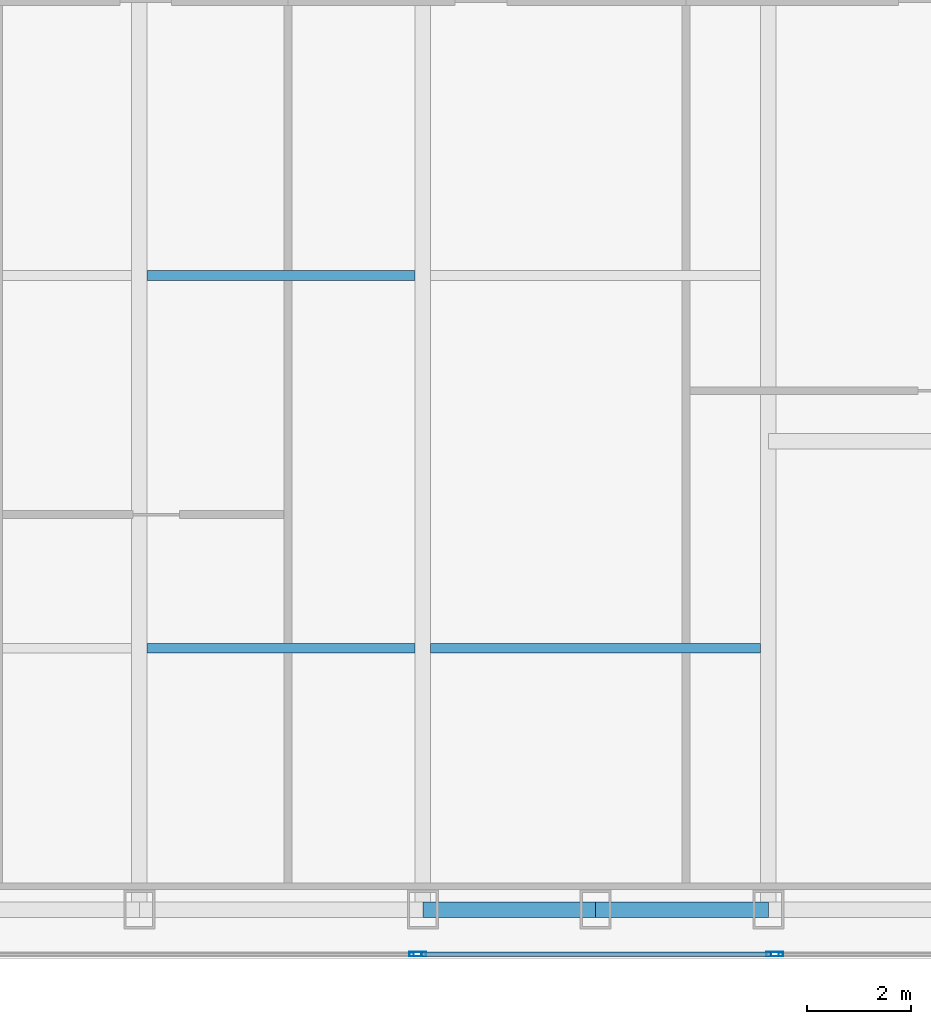
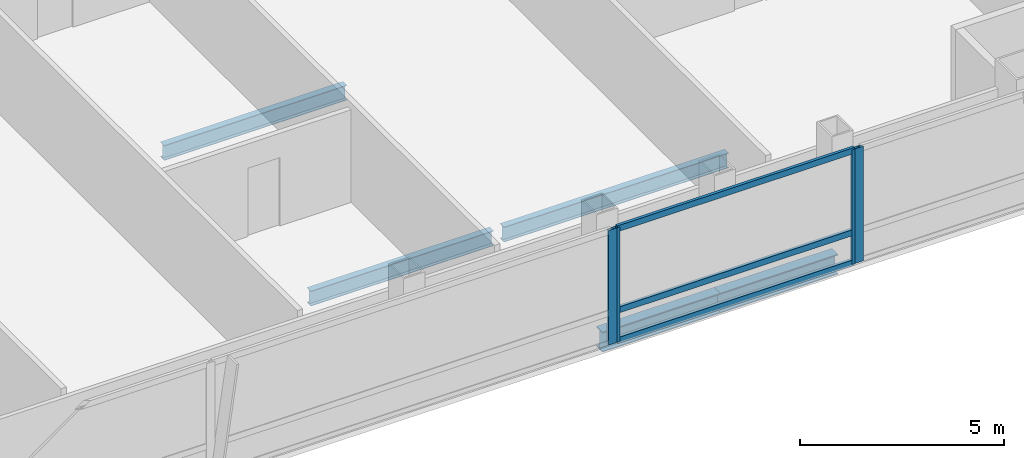
# One storey, part 14 of 29: 7 members, 5 beams, 3 elements without a shape of their own.
"""IFC4 building model written with IfcOpenShell, lengths in metres."""

from ifc_helpers import new_model, si_unit, direction, frame, origin, origin_2d, place, context, subcontext, project, spatial, hollow_rectangle, i_section, extrude, material, material_profile, profile_set, type_object, element, aggregate, save


model = new_model("IFC4")

# Units and contexts
model_context = context("Model", 3, precision=1e-05, world=origin(), true_north=direction((0.0, 1.0)))
body_context = subcontext(model_context, "Body", "Model", "MODEL_VIEW")
ifc_project = project(units=[si_unit("LENGTHUNIT", "METRE"), si_unit("AREAUNIT", "SQUARE_METRE"), si_unit("VOLUMEUNIT", "CUBIC_METRE"), si_unit("PLANEANGLEUNIT", "RADIAN"), si_unit("MASSUNIT", "GRAM", prefix="KILO")], contexts=[model_context])

# Site, building, storey
site_placement = place(None, origin())
site = spatial("IfcSite", under=ifc_project, at=site_placement, CompositionType="ELEMENT")
building_placement = place(site_placement, origin())
building = spatial("IfcBuilding", under=site, at=building_placement, Name="Khoronbel Lancet Exchange", CompositionType="ELEMENT")
storey_placement = place(building_placement, frame((0.0, 0.0, 242.60009765625)))
storey = spatial("IfcBuildingStorey", under=building, at=storey_placement, Name="L62", CompositionType="ELEMENT", Elevation=242.60009765625)

# Beams
ifc_material_1 = material(Name="Steel S355", Category="steel")
ifc_material_profile_1 = material_profile(ifc_material_1, i_section(OverallWidth=0.18994140625, OverallDepth=0.449951171875, WebThickness=0.009521484375, FlangeThickness=0.0146484375, at=origin_2d()), Name="IPE 450")
ifc_profile_set_1 = profile_set([ifc_material_profile_1], Name="Steel S355")
beam_type_1 = type_object("IfcBeamType", Name="BM-BJ4", PredefinedType="JOIST", material=ifc_profile_set_1)
beam_1_placement = place(storey_placement, frame((42.675048828125, 15.199951171875, -0.385009765625), z_axis=(1.0, 0.0, 0.0), x_axis=(0.0, 1.0, 0.0)))
element("IfcBeam", 1, at=beam_1_placement, inside=storey, type_object=beam_type_1, Name="Level L62 secondary composite joist J04", PredefinedType="JOIST", context=body_context, shape_type="SweptSolid", body=[
    extrude(i_section(OverallWidth=0.18994140625, OverallDepth=0.449951171875, WebThickness=0.009521484375, FlangeThickness=0.0146484375, at=origin_2d()), origin(), (0.0, 0.0, 1.0), 5.175048828125),
])
beam_2_placement = place(storey_placement, frame((48.14990234375, 15.199951171875, -0.385009765625), z_axis=(1.0, 0.0, 0.0), x_axis=(0.0, 1.0, 0.0)))
element("IfcBeam", 2, at=beam_2_placement, inside=storey, type_object=beam_type_1, Name="Level L62 secondary composite joist J05", PredefinedType="JOIST", context=body_context, shape_type="SweptSolid", body=[
    extrude(i_section(OverallWidth=0.18994140625, OverallDepth=0.449951171875, WebThickness=0.009521484375, FlangeThickness=0.0146484375, at=origin_2d()), origin(), (0.0, 0.0, 1.0), 6.375),
])
beam_3_placement = place(storey_placement, frame((42.675048828125, 22.39990234375, -0.385009765625), z_axis=(1.0, 0.0, 0.0), x_axis=(0.0, 1.0, 0.0)))
element("IfcBeam", 3, at=beam_3_placement, inside=storey, type_object=beam_type_1, Name="Level L62 secondary composite joist J09", PredefinedType="JOIST", context=body_context, shape_type="SweptSolid", body=[
    extrude(i_section(OverallWidth=0.18994140625, OverallDepth=0.449951171875, WebThickness=0.009521484375, FlangeThickness=0.0146484375, at=origin_2d()), origin(), (0.0, 0.0, 1.0), 5.175048828125),
])
ifc_material_profile_2 = material_profile(ifc_material_1, i_section(OverallWidth=0.300048828125, OverallDepth=0.60009765625, WebThickness=0.015380859375, FlangeThickness=0.030029296875, at=origin_2d()), Name="HEB 600")
ifc_profile_set_2 = profile_set([ifc_material_profile_2], Name="Steel S355")
beam_type_2 = type_object("IfcBeamType", Name="BM-BSP2", PredefinedType="SPANDREL", material=ifc_profile_set_2)
beam_4_placement = place(storey_placement, frame((48.0, 10.14990234375, -0.460205078125), z_axis=(1.0, 0.0, 0.0), x_axis=(0.0, 1.0, 0.0)))
element("IfcBeam", 4, at=beam_4_placement, inside=storey, type_object=beam_type_2, Name="Level L62 perimeter spandrel beam SP07", PredefinedType="SPANDREL", context=body_context, shape_type="SweptSolid", body=[
    extrude(i_section(OverallWidth=0.300048828125, OverallDepth=0.60009765625, WebThickness=0.015380859375, FlangeThickness=0.030029296875, at=origin_2d()), origin(), (0.0, 0.0, 1.0), 3.33740234375),
])
beam_5_placement = place(storey_placement, frame((51.33740234375, 10.14990234375, -0.460205078125), z_axis=(1.0, 0.0, 0.0), x_axis=(0.0, 1.0, 0.0)))
element("IfcBeam", 5, at=beam_5_placement, inside=storey, type_object=beam_type_2, Name="Level L62 perimeter spandrel beam SP08", PredefinedType="SPANDREL", context=body_context, shape_type="SweptSolid", body=[
    extrude(i_section(OverallWidth=0.300048828125, OverallDepth=0.60009765625, WebThickness=0.015380859375, FlangeThickness=0.030029296875, at=origin_2d()), origin(), (0.0, 0.0, 1.0), 3.337646484375),
])

# Curtain wall, member
ifc_material_2 = material(Name="Low-E Solar Control Insulating Glass", Category="glass")
curtain_wall_type = type_object("IfcCurtainWallType", Name="CW-3", PredefinedType="NOTDEFINED", material=ifc_material_2)
curtain_wall_1_placement = place(storey_placement, origin())
curtain_wall_1 = element("IfcCurtainWall", 6, at=curtain_wall_1_placement, inside=storey, type_object=curtain_wall_type, Name="Unitised curtain wall CW-L62-SCV", PredefinedType="NOTDEFINED")
ifc_material_3 = material(Name="Bronze-Anodised Aluminium 6063-T6", Category="aluminium")
ifc_material_profile_3 = material_profile(ifc_material_3, hollow_rectangle(XDim=0.0849609375, YDim=0.239990234375, WallThickness=0.006103515625, at=origin_2d()), Name="ALU MULLION 85x240")
ifc_profile_set_3 = profile_set([ifc_material_profile_3], Name="Bronze-Anodised Aluminium 6063-T6")
member_type_1 = type_object("IfcMemberType", Name="MEM-CWM1", PredefinedType="MULLION", material=ifc_profile_set_3)
member_1_placement = place(storey_placement, frame((47.857421875, 9.2900390625, 0.0), z_axis=(0.0, 0.0, 1.0), x_axis=(0.0, 1.0, 0.0)))
member_1 = element("IfcMember", 7, at=member_1_placement, type_object=member_type_1, Name="CW3 mullion 3", PredefinedType="MULLION", context=body_context, shape_type="SweptSolid", body=[
    extrude(hollow_rectangle(XDim=0.0849609375, YDim=0.239990234375, WallThickness=0.006103515625, at=origin_2d()), origin(), (0.0, 0.0, 1.0), 3.43994140625),
])
aggregate(curtain_wall_1, [member_1])

# Curtain wall, members
curtain_wall_2_placement = place(storey_placement, origin())
curtain_wall_2 = element("IfcCurtainWall", 8, at=curtain_wall_2_placement, inside=storey, type_object=curtain_wall_type, Name="Unitised curtain wall CW-L62-SEB", PredefinedType="NOTDEFINED")
member_2_placement = place(storey_placement, frame((47.9423828125, 9.2900390625, 0.0), z_axis=(0.0, 0.0, 1.0), x_axis=(0.0, 1.0, 0.0)))
member_2 = element("IfcMember", 9, at=member_2_placement, type_object=member_type_1, Name="CW3 mullion 1", PredefinedType="MULLION", context=body_context, shape_type="SweptSolid", body=[
    extrude(hollow_rectangle(XDim=0.0849609375, YDim=0.239990234375, WallThickness=0.006103515625, at=origin_2d()), origin(), (0.0, 0.0, 1.0), 3.43994140625),
])
member_3_placement = place(storey_placement, frame((54.757568359375, 9.2900390625, 0.0), z_axis=(0.0, 0.0, 1.0), x_axis=(0.0, 1.0, 0.0)))
member_3 = element("IfcMember", 10, at=member_3_placement, type_object=member_type_1, Name="CW3 mullion 2", PredefinedType="MULLION", context=body_context, shape_type="SweptSolid", body=[
    extrude(hollow_rectangle(XDim=0.0849609375, YDim=0.239990234375, WallThickness=0.006103515625, at=origin_2d()), origin(), (0.0, 0.0, 1.0), 3.43994140625),
])

# Curtain wall, member
curtain_wall_3_placement = place(storey_placement, origin())
curtain_wall_3 = element("IfcCurtainWall", 11, at=curtain_wall_3_placement, inside=storey, type_object=curtain_wall_type, Name="Unitised curtain wall CW-L62-SEV", PredefinedType="NOTDEFINED")
member_4_placement = place(storey_placement, frame((54.842529296875, 9.2900390625, 0.0), z_axis=(0.0, 0.0, 1.0), x_axis=(0.0, 1.0, 0.0)))
member_4 = element("IfcMember", 12, at=member_4_placement, type_object=member_type_1, Name="CW3 mullion 1", PredefinedType="MULLION", context=body_context, shape_type="SweptSolid", body=[
    extrude(hollow_rectangle(XDim=0.0849609375, YDim=0.239990234375, WallThickness=0.006103515625, at=origin_2d()), origin(), (0.0, 0.0, 1.0), 3.43994140625),
])
aggregate(curtain_wall_3, [member_4])

# Member
ifc_material_profile_4 = material_profile(ifc_material_3, hollow_rectangle(XDim=0.0849609375, YDim=0.179931640625, WallThickness=0.0048828125, at=origin_2d()), Name="ALU TRANSOM 85x180")
ifc_profile_set_4 = profile_set([ifc_material_profile_4], Name="Bronze-Anodised Aluminium 6063-T6")
member_type_2 = type_object("IfcMemberType", Name="MEM-CWT1", PredefinedType="USERDEFINED", material=ifc_profile_set_4)
member_5_placement = place(storey_placement, frame((47.985107421875, 9.2900390625, 0.04248046875), z_axis=(1.0, 0.0, 0.0), x_axis=(0.0, 1.0, 0.0)))
member_5 = element("IfcMember", 13, at=member_5_placement, type_object=member_type_2, Name="CW3 transom 1.1", ObjectType="TRANSOM", PredefinedType="USERDEFINED", context=body_context, shape_type="SweptSolid", body=[
    extrude(hollow_rectangle(XDim=0.0849609375, YDim=0.179931640625, WallThickness=0.0048828125, at=origin_2d()), origin(), (0.0, 0.0, 1.0), 6.72998046875),
])

member_6_placement = place(storey_placement, frame((47.985107421875, 9.2900390625, 0.949951171875), z_axis=(1.0, 0.0, 0.0), x_axis=(0.0, 1.0, 0.0)))
member_6 = element("IfcMember", 14, at=member_6_placement, type_object=member_type_2, Name="CW3 transom 1.2", ObjectType="TRANSOM", PredefinedType="USERDEFINED", context=body_context, shape_type="SweptSolid", body=[
    extrude(hollow_rectangle(XDim=0.0849609375, YDim=0.179931640625, WallThickness=0.0048828125, at=origin_2d()), origin(), (0.0, 0.0, 1.0), 6.72998046875),
])

member_7_placement = place(storey_placement, frame((47.985107421875, 9.2900390625, 3.3974609375), z_axis=(1.0, 0.0, 0.0), x_axis=(0.0, 1.0, 0.0)))
member_7 = element("IfcMember", 15, at=member_7_placement, type_object=member_type_2, Name="CW3 transom 1.3", ObjectType="TRANSOM", PredefinedType="USERDEFINED", context=body_context, shape_type="SweptSolid", body=[
    extrude(hollow_rectangle(XDim=0.0849609375, YDim=0.179931640625, WallThickness=0.0048828125, at=origin_2d()), origin(), (0.0, 0.0, 1.0), 6.72998046875),
])

aggregate(curtain_wall_2, [member_2, member_3, member_5, member_6, member_7])

save(model, "model.ifc")
